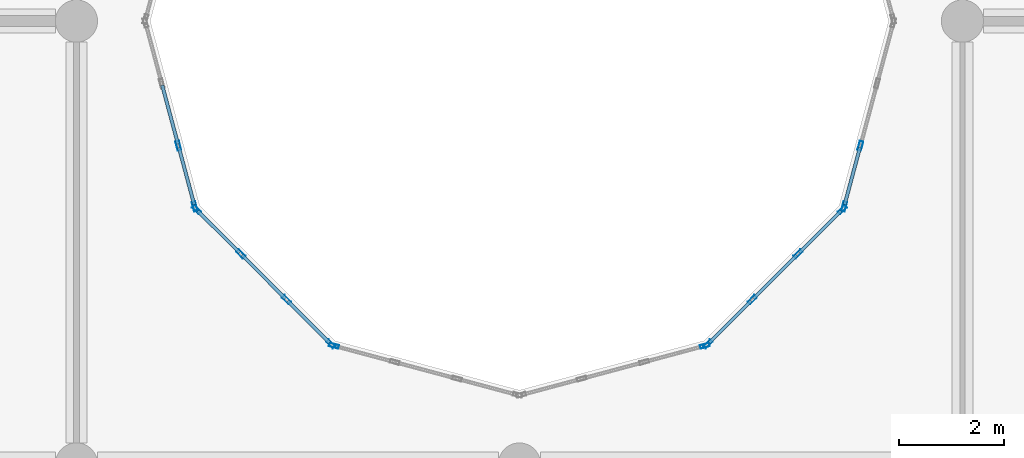
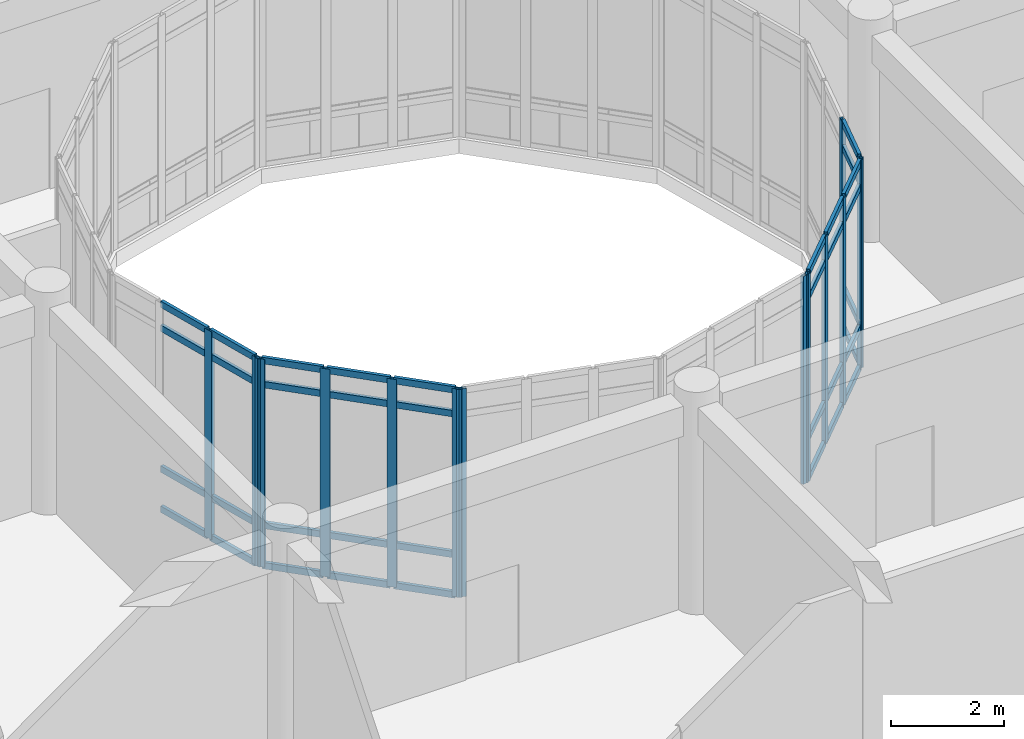
# One storey, part 36 of 138: 50 members, 6 elements without a shape of their own.
"""IFC4 building model written with IfcOpenShell, lengths in metres."""

from ifc_helpers import new_model, si_unit, direction, frame, origin, origin_2d, place, context, subcontext, project, spatial, hollow_rectangle, extrude, material, layer, layer_set, material_profile, profile_set, type_object, element, aggregate, save


model = new_model("IFC4")

# Units and contexts
model_context = context("Model", 3, precision=1e-05, world=origin(), true_north=direction((0.0, 1.0)))
body_context = subcontext(model_context, "Body", "Model", "MODEL_VIEW")
ifc_project = project(units=[si_unit("LENGTHUNIT", "METRE"), si_unit("AREAUNIT", "SQUARE_METRE"), si_unit("VOLUMEUNIT", "CUBIC_METRE"), si_unit("PLANEANGLEUNIT", "RADIAN"), si_unit("MASSUNIT", "GRAM", prefix="KILO")], contexts=[model_context])

# Site, building, storey
site_placement = place(None, origin())
site = spatial("IfcSite", under=ifc_project, at=site_placement, CompositionType="ELEMENT")
building_placement = place(site_placement, origin())
building = spatial("IfcBuilding", under=site, at=building_placement, Name="Bramfleet General Hospital", CompositionType="ELEMENT")
storey_placement = place(building_placement, origin())
storey = spatial("IfcBuildingStorey", under=building, at=storey_placement, Name="L00", CompositionType="ELEMENT", Elevation=0.0)

# Curtain wall, members
ifc_material_1 = material(Name="Anodised aluminium and low-E triple glazing", Category="aluminium")
ifc_layer_1 = layer(ifc_material_1, 0.179931640625, Name="CWT-CW-17")
ifc_layer_set_1 = layer_set([ifc_layer_1], Name="Anodised aluminium and low-E triple glazing")
curtain_wall_type_1 = type_object("IfcCurtainWallType", Name="CWT-CW-17", PredefinedType="USERDEFINED", material=ifc_layer_set_1)
curtain_wall_1_placement = place(storey_placement, origin())
curtain_wall_1 = element("IfcCurtainWall", 1, at=curtain_wall_1_placement, inside=storey, type_object=curtain_wall_type_1, Name="L00 Central Diagnostic Light Court Curtain Wall 1.1", ObjectType="Stick curtain wall", PredefinedType="USERDEFINED")
ifc_material_2 = material(Name="Anodised aluminium EN AW-6060", Category="aluminium")
ifc_material_profile_1 = material_profile(ifc_material_2, hollow_rectangle(XDim=0.070068359375, YDim=0.179931640625, WallThickness=0.00390625, at=origin_2d()), Name="ALU 180x70x4.0")
ifc_profile_set_1 = profile_set([ifc_material_profile_1], Name="Anodised aluminium EN AW-6060")
member_type_1 = type_object("IfcMemberType", Name="CWM-ALU180", PredefinedType="MULLION", material=ifc_profile_set_1)
member_1_placement = place(storey_placement, frame((77.533935546875, 73.2333984375, 0.0), z_axis=(0.0, 0.0, 1.0), x_axis=(0.965940765005, 0.258763286618, 0.0)))
member_1 = element("IfcMember", 2, at=member_1_placement, type_object=member_type_1, Name="CW-17 mullion 3", PredefinedType="MULLION", context=body_context, shape_type="SweptSolid", body=[
    extrude(hollow_rectangle(XDim=0.070068359375, YDim=0.179931640625, WallThickness=0.00390625, at=origin_2d()), origin(), (0.0, 0.0, 1.0), 4.489990234375),
])
member_2_placement = place(storey_placement, frame((77.842041015625, 72.083740234375, 0.0), z_axis=(0.0, 0.0, 1.0), x_axis=(0.965940765005, 0.258763286618, 0.0)))
member_2 = element("IfcMember", 3, at=member_2_placement, type_object=member_type_1, Name="CW-17 mullion 4", PredefinedType="MULLION", context=body_context, shape_type="SweptSolid", body=[
    extrude(hollow_rectangle(XDim=0.070068359375, YDim=0.179931640625, WallThickness=0.00390625, at=origin_2d()), origin(), (0.0, 0.0, 1.0), 4.489990234375),
])

ifc_layer_2 = layer(ifc_material_1, 0.179931640625, Name="CWT-CW-18")
ifc_layer_set_2 = layer_set([ifc_layer_2], Name="Anodised aluminium and low-E triple glazing")
curtain_wall_type_2 = type_object("IfcCurtainWallType", Name="CWT-CW-18", PredefinedType="USERDEFINED", material=ifc_layer_set_2)
curtain_wall_2_placement = place(storey_placement, origin())
curtain_wall_2 = element("IfcCurtainWall", 4, at=curtain_wall_2_placement, inside=storey, type_object=curtain_wall_type_2, Name="L00 Central Diagnostic Light Court Curtain Wall 2.1", ObjectType="Stick curtain wall", PredefinedType="USERDEFINED")
member_3_placement = place(storey_placement, frame((77.875732421875, 72.025146484375, 0.0), z_axis=(0.0, 0.0, 1.0), x_axis=(0.707106781187, 0.707106781187, 0.0)))
member_3 = element("IfcMember", 5, at=member_3_placement, type_object=member_type_1, Name="CW-18 mullion 1", PredefinedType="MULLION", context=body_context, shape_type="SweptSolid", body=[
    extrude(hollow_rectangle(XDim=0.070068359375, YDim=0.179931640625, WallThickness=0.00390625, at=origin_2d()), origin(), (0.0, 0.0, 1.0), 4.489990234375),
])
member_4_placement = place(storey_placement, frame((78.71728515625, 71.18359375, 0.0), z_axis=(0.0, 0.0, 1.0), x_axis=(0.707106781187, 0.707106781187, 0.0)))
member_4 = element("IfcMember", 6, at=member_4_placement, type_object=member_type_1, Name="CW-18 mullion 2", PredefinedType="MULLION", context=body_context, shape_type="SweptSolid", body=[
    extrude(hollow_rectangle(XDim=0.070068359375, YDim=0.179931640625, WallThickness=0.00390625, at=origin_2d()), origin(), (0.0, 0.0, 1.0), 4.489990234375),
])
member_5_placement = place(storey_placement, frame((79.583740234375, 70.3173828125, 0.0), z_axis=(0.0, 0.0, 1.0), x_axis=(0.707106781187, 0.707106781187, 0.0)))
member_5 = element("IfcMember", 7, at=member_5_placement, type_object=member_type_1, Name="CW-18 mullion 3", PredefinedType="MULLION", context=body_context, shape_type="SweptSolid", body=[
    extrude(hollow_rectangle(XDim=0.070068359375, YDim=0.179931640625, WallThickness=0.00390625, at=origin_2d()), origin(), (0.0, 0.0, 1.0), 4.489990234375),
])
member_6_placement = place(storey_placement, frame((80.42529296875, 69.475830078125, 0.0), z_axis=(0.0, 0.0, 1.0), x_axis=(0.707106781187, 0.707106781187, 0.0)))
member_6 = element("IfcMember", 8, at=member_6_placement, type_object=member_type_1, Name="CW-18 mullion 4", PredefinedType="MULLION", context=body_context, shape_type="SweptSolid", body=[
    extrude(hollow_rectangle(XDim=0.070068359375, YDim=0.179931640625, WallThickness=0.00390625, at=origin_2d()), origin(), (0.0, 0.0, 1.0), 4.489990234375),
])

# Curtain wall, member
ifc_layer_3 = layer(ifc_material_1, 0.179931640625, Name="CWT-CW-11")
ifc_layer_set_3 = layer_set([ifc_layer_3], Name="Anodised aluminium and low-E triple glazing")
curtain_wall_type_3 = type_object("IfcCurtainWallType", Name="CWT-CW-11", PredefinedType="USERDEFINED", material=ifc_layer_set_3)
curtain_wall_3_placement = place(storey_placement, origin())
curtain_wall_3 = element("IfcCurtainWall", 9, at=curtain_wall_3_placement, inside=storey, type_object=curtain_wall_type_3, Name="L00 Central Diagnostic Light Court Curtain Wall 3.1", ObjectType="Stick curtain wall", PredefinedType="USERDEFINED")
member_7_placement = place(storey_placement, frame((80.48388671875, 69.44189453125, 0.0), z_axis=(0.0, 0.0, 1.0), x_axis=(0.258763286618, 0.965940765005, 0.0)))
member_7 = element("IfcMember", 10, at=member_7_placement, type_object=member_type_1, Name="CW-11 mullion 1", PredefinedType="MULLION", context=body_context, shape_type="SweptSolid", body=[
    extrude(hollow_rectangle(XDim=0.070068359375, YDim=0.179931640625, WallThickness=0.00390625, at=origin_2d()), origin(), (0.0, 0.0, 1.0), 4.489990234375),
])
aggregate(curtain_wall_3, [member_7])

ifc_layer_4 = layer(ifc_material_1, 0.179931640625, Name="CWT-CW-12")
ifc_layer_set_4 = layer_set([ifc_layer_4], Name="Anodised aluminium and low-E triple glazing")
curtain_wall_type_4 = type_object("IfcCurtainWallType", Name="CWT-CW-12", PredefinedType="USERDEFINED", material=ifc_layer_set_4)
curtain_wall_4_placement = place(storey_placement, origin())
curtain_wall_4 = element("IfcCurtainWall", 11, at=curtain_wall_4_placement, inside=storey, type_object=curtain_wall_type_4, Name="L00 Central Diagnostic Light Court Curtain Wall 4.1", ObjectType="Stick curtain wall", PredefinedType="USERDEFINED")
member_8_placement = place(storey_placement, frame((87.51611328125, 69.44189453125, 0.0), z_axis=(0.0, 0.0, 1.0), x_axis=(-0.258763286618, 0.965940765005, 0.0)))
member_8 = element("IfcMember", 12, at=member_8_placement, type_object=member_type_1, Name="CW-12 mullion 4", PredefinedType="MULLION", context=body_context, shape_type="SweptSolid", body=[
    extrude(hollow_rectangle(XDim=0.070068359375, YDim=0.179931640625, WallThickness=0.00390625, at=origin_2d()), origin(), (0.0, 0.0, 1.0), 4.489990234375),
])
aggregate(curtain_wall_4, [member_8])

# Curtain wall, members
ifc_layer_5 = layer(ifc_material_1, 0.179931640625, Name="CWT-CW-13")
ifc_layer_set_5 = layer_set([ifc_layer_5], Name="Anodised aluminium and low-E triple glazing")
curtain_wall_type_5 = type_object("IfcCurtainWallType", Name="CWT-CW-13", PredefinedType="USERDEFINED", material=ifc_layer_set_5)
curtain_wall_5_placement = place(storey_placement, origin())
curtain_wall_5 = element("IfcCurtainWall", 13, at=curtain_wall_5_placement, inside=storey, type_object=curtain_wall_type_5, Name="L00 Central Diagnostic Light Court Curtain Wall 5.1", ObjectType="Stick curtain wall", PredefinedType="USERDEFINED")
member_9_placement = place(storey_placement, frame((87.57470703125, 69.475830078125, 0.0), z_axis=(0.0, 0.0, 1.0), x_axis=(-0.707106781187, 0.707106781187, 0.0)))
member_9 = element("IfcMember", 14, at=member_9_placement, type_object=member_type_1, Name="CW-13 mullion 1", PredefinedType="MULLION", context=body_context, shape_type="SweptSolid", body=[
    extrude(hollow_rectangle(XDim=0.070068359375, YDim=0.179931640625, WallThickness=0.00390625, at=origin_2d()), origin(), (0.0, 0.0, 1.0), 4.489990234375),
])
member_10_placement = place(storey_placement, frame((88.416259765625, 70.3173828125, 0.0), z_axis=(0.0, 0.0, 1.0), x_axis=(-0.707106781187, 0.707106781187, 0.0)))
member_10 = element("IfcMember", 15, at=member_10_placement, type_object=member_type_1, Name="CW-13 mullion 2", PredefinedType="MULLION", context=body_context, shape_type="SweptSolid", body=[
    extrude(hollow_rectangle(XDim=0.070068359375, YDim=0.179931640625, WallThickness=0.00390625, at=origin_2d()), origin(), (0.0, 0.0, 1.0), 4.489990234375),
])
member_11_placement = place(storey_placement, frame((89.28271484375, 71.18359375, 0.0), z_axis=(0.0, 0.0, 1.0), x_axis=(-0.707106781187, 0.707106781187, 0.0)))
member_11 = element("IfcMember", 16, at=member_11_placement, type_object=member_type_1, Name="CW-13 mullion 3", PredefinedType="MULLION", context=body_context, shape_type="SweptSolid", body=[
    extrude(hollow_rectangle(XDim=0.070068359375, YDim=0.179931640625, WallThickness=0.00390625, at=origin_2d()), origin(), (0.0, 0.0, 1.0), 4.489990234375),
])
member_12_placement = place(storey_placement, frame((90.124267578125, 72.025146484375, 0.0), z_axis=(0.0, 0.0, 1.0), x_axis=(-0.707106781187, 0.707106781187, 0.0)))
member_12 = element("IfcMember", 17, at=member_12_placement, type_object=member_type_1, Name="CW-13 mullion 4", PredefinedType="MULLION", context=body_context, shape_type="SweptSolid", body=[
    extrude(hollow_rectangle(XDim=0.070068359375, YDim=0.179931640625, WallThickness=0.00390625, at=origin_2d()), origin(), (0.0, 0.0, 1.0), 4.489990234375),
])

ifc_layer_6 = layer(ifc_material_1, 0.179931640625, Name="CWT-CW-14")
ifc_layer_set_6 = layer_set([ifc_layer_6], Name="Anodised aluminium and low-E triple glazing")
curtain_wall_type_6 = type_object("IfcCurtainWallType", Name="CWT-CW-14", PredefinedType="USERDEFINED", material=ifc_layer_set_6)
curtain_wall_6_placement = place(storey_placement, origin())
curtain_wall_6 = element("IfcCurtainWall", 18, at=curtain_wall_6_placement, inside=storey, type_object=curtain_wall_type_6, Name="L00 Central Diagnostic Light Court Curtain Wall 6.1", ObjectType="Stick curtain wall", PredefinedType="USERDEFINED")
member_13_placement = place(storey_placement, frame((90.157958984375, 72.083740234375, 0.0), z_axis=(0.0, 0.0, 1.0), x_axis=(-0.965940765005, 0.258763286618, 0.0)))
member_13 = element("IfcMember", 19, at=member_13_placement, type_object=member_type_1, Name="CW-14 mullion 1", PredefinedType="MULLION", context=body_context, shape_type="SweptSolid", body=[
    extrude(hollow_rectangle(XDim=0.070068359375, YDim=0.179931640625, WallThickness=0.00390625, at=origin_2d()), origin(), (0.0, 0.0, 1.0), 4.489990234375),
])
member_14_placement = place(storey_placement, frame((90.466064453125, 73.2333984375, 0.0), z_axis=(0.0, 0.0, 1.0), x_axis=(-0.965940765005, 0.258763286618, 0.0)))
member_14 = element("IfcMember", 20, at=member_14_placement, type_object=member_type_1, Name="CW-14 mullion 2", PredefinedType="MULLION", context=body_context, shape_type="SweptSolid", body=[
    extrude(hollow_rectangle(XDim=0.070068359375, YDim=0.179931640625, WallThickness=0.00390625, at=origin_2d()), origin(), (0.0, 0.0, 1.0), 4.489990234375),
])

# Member
ifc_material_profile_2 = material_profile(ifc_material_2, hollow_rectangle(XDim=0.06494140625, YDim=0.139892578125, WallThickness=0.00390625, at=origin_2d()), Name="ALU 140x65x4.0")
ifc_profile_set_2 = profile_set([ifc_material_profile_2], Name="Anodised aluminium EN AW-6060")
member_type_2 = type_object("IfcMemberType", Name="CWT-ALU140", PredefinedType="USERDEFINED", material=ifc_profile_set_2)
member_15_placement = place(storey_placement, frame((77.22607421875, 74.3828125, 0.032470703125), z_axis=(0.258714954608, -0.965953711242, 0.0), x_axis=(0.965953711242, 0.258714954608, 0.0)))
member_15 = element("IfcMember", 21, at=member_15_placement, type_object=member_type_2, Name="CW-17 transom 2.1", ObjectType="TRANSOM", PredefinedType="USERDEFINED", context=body_context, shape_type="SweptSolid", body=[
    extrude(hollow_rectangle(XDim=0.06494140625, YDim=0.139892578125, WallThickness=0.00390625, at=origin_2d()), origin(), (0.0, 0.0, 1.0), 1.155029296875),
])

member_16_placement = place(storey_placement, frame((77.22607421875, 74.3828125, 0.89990234375), z_axis=(0.258714954608, -0.965953711242, 0.0), x_axis=(0.965953711242, 0.258714954608, 0.0)))
member_16 = element("IfcMember", 22, at=member_16_placement, type_object=member_type_2, Name="CW-17 transom 2.2", ObjectType="TRANSOM", PredefinedType="USERDEFINED", context=body_context, shape_type="SweptSolid", body=[
    extrude(hollow_rectangle(XDim=0.06494140625, YDim=0.139892578125, WallThickness=0.00390625, at=origin_2d()), origin(), (0.0, 0.0, 1.0), 1.155029296875),
])

member_17_placement = place(storey_placement, frame((77.22607421875, 74.3828125, 3.93994140625), z_axis=(0.258714954608, -0.965953711242, 0.0), x_axis=(0.965953711242, 0.258714954608, 0.0)))
member_17 = element("IfcMember", 23, at=member_17_placement, type_object=member_type_2, Name="CW-17 transom 2.3", ObjectType="TRANSOM", PredefinedType="USERDEFINED", context=body_context, shape_type="SweptSolid", body=[
    extrude(hollow_rectangle(XDim=0.06494140625, YDim=0.139892578125, WallThickness=0.00390625, at=origin_2d()), origin(), (0.0, 0.0, 1.0), 1.155029296875),
])

member_18_placement = place(storey_placement, frame((77.22607421875, 74.3828125, 4.45751953125), z_axis=(0.258714954608, -0.965953711242, 0.0), x_axis=(0.965953711242, 0.258714954608, 0.0)))
member_18 = element("IfcMember", 24, at=member_18_placement, type_object=member_type_2, Name="CW-17 transom 2.4", ObjectType="TRANSOM", PredefinedType="USERDEFINED", context=body_context, shape_type="SweptSolid", body=[
    extrude(hollow_rectangle(XDim=0.06494140625, YDim=0.139892578125, WallThickness=0.00390625, at=origin_2d()), origin(), (0.0, 0.0, 1.0), 1.155029296875),
])

member_19_placement = place(storey_placement, frame((77.54296875, 73.199462890625, 0.032470703125), z_axis=(0.258964892978, -0.965886734667, 0.0), x_axis=(0.965886734667, 0.258964892978, 0.0)))
member_19 = element("IfcMember", 25, at=member_19_placement, type_object=member_type_2, Name="CW-17 transom 3.1", ObjectType="TRANSOM", PredefinedType="USERDEFINED", context=body_context, shape_type="SweptSolid", body=[
    extrude(hollow_rectangle(XDim=0.06494140625, YDim=0.139892578125, WallThickness=0.00390625, at=origin_2d()), origin(), (0.0, 0.0, 1.0), 1.119873046875),
])

member_20_placement = place(storey_placement, frame((77.54296875, 73.199462890625, 0.89990234375), z_axis=(0.258964892978, -0.965886734667, 0.0), x_axis=(0.965886734667, 0.258964892978, 0.0)))
member_20 = element("IfcMember", 26, at=member_20_placement, type_object=member_type_2, Name="CW-17 transom 3.2", ObjectType="TRANSOM", PredefinedType="USERDEFINED", context=body_context, shape_type="SweptSolid", body=[
    extrude(hollow_rectangle(XDim=0.06494140625, YDim=0.139892578125, WallThickness=0.00390625, at=origin_2d()), origin(), (0.0, 0.0, 1.0), 1.119873046875),
])

member_21_placement = place(storey_placement, frame((77.54296875, 73.199462890625, 3.93994140625), z_axis=(0.258964892978, -0.965886734667, 0.0), x_axis=(0.965886734667, 0.258964892978, 0.0)))
member_21 = element("IfcMember", 27, at=member_21_placement, type_object=member_type_2, Name="CW-17 transom 3.3", ObjectType="TRANSOM", PredefinedType="USERDEFINED", context=body_context, shape_type="SweptSolid", body=[
    extrude(hollow_rectangle(XDim=0.06494140625, YDim=0.139892578125, WallThickness=0.00390625, at=origin_2d()), origin(), (0.0, 0.0, 1.0), 1.119873046875),
])

member_22_placement = place(storey_placement, frame((77.54296875, 73.199462890625, 4.45751953125), z_axis=(0.258964892978, -0.965886734667, 0.0), x_axis=(0.965886734667, 0.258964892978, 0.0)))
member_22 = element("IfcMember", 28, at=member_22_placement, type_object=member_type_2, Name="CW-17 transom 3.4", ObjectType="TRANSOM", PredefinedType="USERDEFINED", context=body_context, shape_type="SweptSolid", body=[
    extrude(hollow_rectangle(XDim=0.06494140625, YDim=0.139892578125, WallThickness=0.00390625, at=origin_2d()), origin(), (0.0, 0.0, 1.0), 1.119873046875),
])

aggregate(curtain_wall_1, [member_1, member_2, member_15, member_16, member_17, member_18, member_19, member_20, member_21, member_22])

member_23_placement = place(storey_placement, frame((77.900390625, 72.00048828125, 0.032470703125), z_axis=(0.707215742858, -0.706997802722, 0.0), x_axis=(0.706997802722, 0.707215742858, 0.0)))
member_23 = element("IfcMember", 29, at=member_23_placement, type_object=member_type_2, Name="CW-18 transom 1.1", ObjectType="TRANSOM", PredefinedType="USERDEFINED", context=body_context, shape_type="SweptSolid", body=[
    extrude(hollow_rectangle(XDim=0.06494140625, YDim=0.139892578125, WallThickness=0.00390625, at=origin_2d()), origin(), (0.0, 0.0, 1.0), 1.1201171875),
])

member_24_placement = place(storey_placement, frame((77.900390625, 72.00048828125, 0.89990234375), z_axis=(0.707215742858, -0.706997802722, 0.0), x_axis=(0.706997802722, 0.707215742858, 0.0)))
member_24 = element("IfcMember", 30, at=member_24_placement, type_object=member_type_2, Name="CW-18 transom 1.2", ObjectType="TRANSOM", PredefinedType="USERDEFINED", context=body_context, shape_type="SweptSolid", body=[
    extrude(hollow_rectangle(XDim=0.06494140625, YDim=0.139892578125, WallThickness=0.00390625, at=origin_2d()), origin(), (0.0, 0.0, 1.0), 1.1201171875),
])

member_25_placement = place(storey_placement, frame((77.900390625, 72.00048828125, 3.93994140625), z_axis=(0.707215742858, -0.706997802722, 0.0), x_axis=(0.706997802722, 0.707215742858, 0.0)))
member_25 = element("IfcMember", 31, at=member_25_placement, type_object=member_type_2, Name="CW-18 transom 1.3", ObjectType="TRANSOM", PredefinedType="USERDEFINED", context=body_context, shape_type="SweptSolid", body=[
    extrude(hollow_rectangle(XDim=0.06494140625, YDim=0.139892578125, WallThickness=0.00390625, at=origin_2d()), origin(), (0.0, 0.0, 1.0), 1.1201171875),
])

member_26_placement = place(storey_placement, frame((77.900390625, 72.00048828125, 4.45751953125), z_axis=(0.707215742858, -0.706997802722, 0.0), x_axis=(0.706997802722, 0.707215742858, 0.0)))
member_26 = element("IfcMember", 32, at=member_26_placement, type_object=member_type_2, Name="CW-18 transom 1.4", ObjectType="TRANSOM", PredefinedType="USERDEFINED", context=body_context, shape_type="SweptSolid", body=[
    extrude(hollow_rectangle(XDim=0.06494140625, YDim=0.139892578125, WallThickness=0.00390625, at=origin_2d()), origin(), (0.0, 0.0, 1.0), 1.1201171875),
])

member_27_placement = place(storey_placement, frame((78.7421875, 71.158935546875, 0.032470703125), z_axis=(0.707001093006, -0.707212453572, 0.0), x_axis=(0.707212453572, 0.707001093006, 0.0)))
member_27 = element("IfcMember", 33, at=member_27_placement, type_object=member_type_2, Name="CW-18 transom 2.1", ObjectType="TRANSOM", PredefinedType="USERDEFINED", context=body_context, shape_type="SweptSolid", body=[
    extrude(hollow_rectangle(XDim=0.06494140625, YDim=0.139892578125, WallThickness=0.00390625, at=origin_2d()), origin(), (0.0, 0.0, 1.0), 1.155029296875),
])

member_28_placement = place(storey_placement, frame((78.7421875, 71.158935546875, 0.89990234375), z_axis=(0.707001093006, -0.707212453572, 0.0), x_axis=(0.707212453572, 0.707001093006, 0.0)))
member_28 = element("IfcMember", 34, at=member_28_placement, type_object=member_type_2, Name="CW-18 transom 2.2", ObjectType="TRANSOM", PredefinedType="USERDEFINED", context=body_context, shape_type="SweptSolid", body=[
    extrude(hollow_rectangle(XDim=0.06494140625, YDim=0.139892578125, WallThickness=0.00390625, at=origin_2d()), origin(), (0.0, 0.0, 1.0), 1.155029296875),
])

member_29_placement = place(storey_placement, frame((78.7421875, 71.158935546875, 3.93994140625), z_axis=(0.707001093006, -0.707212453572, 0.0), x_axis=(0.707212453572, 0.707001093006, 0.0)))
member_29 = element("IfcMember", 35, at=member_29_placement, type_object=member_type_2, Name="CW-18 transom 2.3", ObjectType="TRANSOM", PredefinedType="USERDEFINED", context=body_context, shape_type="SweptSolid", body=[
    extrude(hollow_rectangle(XDim=0.06494140625, YDim=0.139892578125, WallThickness=0.00390625, at=origin_2d()), origin(), (0.0, 0.0, 1.0), 1.155029296875),
])

member_30_placement = place(storey_placement, frame((78.7421875, 71.158935546875, 4.45751953125), z_axis=(0.707001093006, -0.707212453572, 0.0), x_axis=(0.707212453572, 0.707001093006, 0.0)))
member_30 = element("IfcMember", 36, at=member_30_placement, type_object=member_type_2, Name="CW-18 transom 2.4", ObjectType="TRANSOM", PredefinedType="USERDEFINED", context=body_context, shape_type="SweptSolid", body=[
    extrude(hollow_rectangle(XDim=0.06494140625, YDim=0.139892578125, WallThickness=0.00390625, at=origin_2d()), origin(), (0.0, 0.0, 1.0), 1.155029296875),
])

member_31_placement = place(storey_placement, frame((79.6083984375, 70.29248046875, 0.032470703125), z_axis=(0.707106781187, -0.707106781187, 0.0), x_axis=(0.707106781187, 0.707106781187, 0.0)))
member_31 = element("IfcMember", 37, at=member_31_placement, type_object=member_type_2, Name="CW-18 transom 3.1", ObjectType="TRANSOM", PredefinedType="USERDEFINED", context=body_context, shape_type="SweptSolid", body=[
    extrude(hollow_rectangle(XDim=0.06494140625, YDim=0.139892578125, WallThickness=0.00390625, at=origin_2d()), origin(), (0.0, 0.0, 1.0), 1.1201171875),
])

member_32_placement = place(storey_placement, frame((79.6083984375, 70.29248046875, 0.89990234375), z_axis=(0.707106781187, -0.707106781187, 0.0), x_axis=(0.707106781187, 0.707106781187, 0.0)))
member_32 = element("IfcMember", 38, at=member_32_placement, type_object=member_type_2, Name="CW-18 transom 3.2", ObjectType="TRANSOM", PredefinedType="USERDEFINED", context=body_context, shape_type="SweptSolid", body=[
    extrude(hollow_rectangle(XDim=0.06494140625, YDim=0.139892578125, WallThickness=0.00390625, at=origin_2d()), origin(), (0.0, 0.0, 1.0), 1.1201171875),
])

member_33_placement = place(storey_placement, frame((79.6083984375, 70.29248046875, 3.93994140625), z_axis=(0.707106781187, -0.707106781187, 0.0), x_axis=(0.707106781187, 0.707106781187, 0.0)))
member_33 = element("IfcMember", 39, at=member_33_placement, type_object=member_type_2, Name="CW-18 transom 3.3", ObjectType="TRANSOM", PredefinedType="USERDEFINED", context=body_context, shape_type="SweptSolid", body=[
    extrude(hollow_rectangle(XDim=0.06494140625, YDim=0.139892578125, WallThickness=0.00390625, at=origin_2d()), origin(), (0.0, 0.0, 1.0), 1.1201171875),
])

member_34_placement = place(storey_placement, frame((79.6083984375, 70.29248046875, 4.45751953125), z_axis=(0.707106781187, -0.707106781187, 0.0), x_axis=(0.707106781187, 0.707106781187, 0.0)))
member_34 = element("IfcMember", 40, at=member_34_placement, type_object=member_type_2, Name="CW-18 transom 3.4", ObjectType="TRANSOM", PredefinedType="USERDEFINED", context=body_context, shape_type="SweptSolid", body=[
    extrude(hollow_rectangle(XDim=0.06494140625, YDim=0.139892578125, WallThickness=0.00390625, at=origin_2d()), origin(), (0.0, 0.0, 1.0), 1.1201171875),
])

aggregate(curtain_wall_2, [member_3, member_4, member_5, member_6, member_23, member_24, member_25, member_26, member_27, member_28, member_29, member_30, member_31, member_32, member_33, member_34])

member_35_placement = place(storey_placement, frame((87.599609375, 69.50048828125, 0.032470703125), z_axis=(0.707106781187, 0.707106781187, 0.0), x_axis=(-0.707106781187, 0.707106781187, 0.0)))
member_35 = element("IfcMember", 41, at=member_35_placement, type_object=member_type_2, Name="CW-13 transom 1.1", ObjectType="TRANSOM", PredefinedType="USERDEFINED", context=body_context, shape_type="SweptSolid", body=[
    extrude(hollow_rectangle(XDim=0.06494140625, YDim=0.139892578125, WallThickness=0.00390625, at=origin_2d()), origin(), (0.0, 0.0, 1.0), 1.1201171875),
])

member_36_placement = place(storey_placement, frame((87.599609375, 69.50048828125, 0.89990234375), z_axis=(0.707106781187, 0.707106781187, 0.0), x_axis=(-0.707106781187, 0.707106781187, 0.0)))
member_36 = element("IfcMember", 42, at=member_36_placement, type_object=member_type_2, Name="CW-13 transom 1.2", ObjectType="TRANSOM", PredefinedType="USERDEFINED", context=body_context, shape_type="SweptSolid", body=[
    extrude(hollow_rectangle(XDim=0.06494140625, YDim=0.139892578125, WallThickness=0.00390625, at=origin_2d()), origin(), (0.0, 0.0, 1.0), 1.1201171875),
])

member_37_placement = place(storey_placement, frame((87.599609375, 69.50048828125, 3.93994140625), z_axis=(0.707106781187, 0.707106781187, 0.0), x_axis=(-0.707106781187, 0.707106781187, 0.0)))
member_37 = element("IfcMember", 43, at=member_37_placement, type_object=member_type_2, Name="CW-13 transom 1.3", ObjectType="TRANSOM", PredefinedType="USERDEFINED", context=body_context, shape_type="SweptSolid", body=[
    extrude(hollow_rectangle(XDim=0.06494140625, YDim=0.139892578125, WallThickness=0.00390625, at=origin_2d()), origin(), (0.0, 0.0, 1.0), 1.1201171875),
])

member_38_placement = place(storey_placement, frame((87.599609375, 69.50048828125, 4.45751953125), z_axis=(0.707106781187, 0.707106781187, 0.0), x_axis=(-0.707106781187, 0.707106781187, 0.0)))
member_38 = element("IfcMember", 44, at=member_38_placement, type_object=member_type_2, Name="CW-13 transom 1.4", ObjectType="TRANSOM", PredefinedType="USERDEFINED", context=body_context, shape_type="SweptSolid", body=[
    extrude(hollow_rectangle(XDim=0.06494140625, YDim=0.139892578125, WallThickness=0.00390625, at=origin_2d()), origin(), (0.0, 0.0, 1.0), 1.1201171875),
])

member_39_placement = place(storey_placement, frame((88.441162109375, 70.342041015625, 0.032470703125), z_axis=(0.707001093006, 0.707212453572, 0.0), x_axis=(-0.707212453572, 0.707001093006, 0.0)))
member_39 = element("IfcMember", 45, at=member_39_placement, type_object=member_type_2, Name="CW-13 transom 2.1", ObjectType="TRANSOM", PredefinedType="USERDEFINED", context=body_context, shape_type="SweptSolid", body=[
    extrude(hollow_rectangle(XDim=0.06494140625, YDim=0.139892578125, WallThickness=0.00390625, at=origin_2d()), origin(), (0.0, 0.0, 1.0), 1.155029296875),
])

member_40_placement = place(storey_placement, frame((88.441162109375, 70.342041015625, 0.89990234375), z_axis=(0.707001093006, 0.707212453572, 0.0), x_axis=(-0.707212453572, 0.707001093006, 0.0)))
member_40 = element("IfcMember", 46, at=member_40_placement, type_object=member_type_2, Name="CW-13 transom 2.2", ObjectType="TRANSOM", PredefinedType="USERDEFINED", context=body_context, shape_type="SweptSolid", body=[
    extrude(hollow_rectangle(XDim=0.06494140625, YDim=0.139892578125, WallThickness=0.00390625, at=origin_2d()), origin(), (0.0, 0.0, 1.0), 1.155029296875),
])

member_41_placement = place(storey_placement, frame((88.441162109375, 70.342041015625, 3.93994140625), z_axis=(0.707001093006, 0.707212453572, 0.0), x_axis=(-0.707212453572, 0.707001093006, 0.0)))
member_41 = element("IfcMember", 47, at=member_41_placement, type_object=member_type_2, Name="CW-13 transom 2.3", ObjectType="TRANSOM", PredefinedType="USERDEFINED", context=body_context, shape_type="SweptSolid", body=[
    extrude(hollow_rectangle(XDim=0.06494140625, YDim=0.139892578125, WallThickness=0.00390625, at=origin_2d()), origin(), (0.0, 0.0, 1.0), 1.155029296875),
])

member_42_placement = place(storey_placement, frame((88.441162109375, 70.342041015625, 4.45751953125), z_axis=(0.707001093006, 0.707212453572, 0.0), x_axis=(-0.707212453572, 0.707001093006, 0.0)))
member_42 = element("IfcMember", 48, at=member_42_placement, type_object=member_type_2, Name="CW-13 transom 2.4", ObjectType="TRANSOM", PredefinedType="USERDEFINED", context=body_context, shape_type="SweptSolid", body=[
    extrude(hollow_rectangle(XDim=0.06494140625, YDim=0.139892578125, WallThickness=0.00390625, at=origin_2d()), origin(), (0.0, 0.0, 1.0), 1.155029296875),
])

member_43_placement = place(storey_placement, frame((89.307373046875, 71.20849609375, 0.032470703125), z_axis=(0.707215742858, 0.706997802722, 0.0), x_axis=(-0.706997802722, 0.707215742858, 0.0)))
member_43 = element("IfcMember", 49, at=member_43_placement, type_object=member_type_2, Name="CW-13 transom 3.1", ObjectType="TRANSOM", PredefinedType="USERDEFINED", context=body_context, shape_type="SweptSolid", body=[
    extrude(hollow_rectangle(XDim=0.06494140625, YDim=0.139892578125, WallThickness=0.00390625, at=origin_2d()), origin(), (0.0, 0.0, 1.0), 1.1201171875),
])

member_44_placement = place(storey_placement, frame((89.307373046875, 71.20849609375, 0.89990234375), z_axis=(0.707215742858, 0.706997802722, 0.0), x_axis=(-0.706997802722, 0.707215742858, 0.0)))
member_44 = element("IfcMember", 50, at=member_44_placement, type_object=member_type_2, Name="CW-13 transom 3.2", ObjectType="TRANSOM", PredefinedType="USERDEFINED", context=body_context, shape_type="SweptSolid", body=[
    extrude(hollow_rectangle(XDim=0.06494140625, YDim=0.139892578125, WallThickness=0.00390625, at=origin_2d()), origin(), (0.0, 0.0, 1.0), 1.1201171875),
])

member_45_placement = place(storey_placement, frame((89.307373046875, 71.20849609375, 3.93994140625), z_axis=(0.707215742858, 0.706997802722, 0.0), x_axis=(-0.706997802722, 0.707215742858, 0.0)))
member_45 = element("IfcMember", 51, at=member_45_placement, type_object=member_type_2, Name="CW-13 transom 3.3", ObjectType="TRANSOM", PredefinedType="USERDEFINED", context=body_context, shape_type="SweptSolid", body=[
    extrude(hollow_rectangle(XDim=0.06494140625, YDim=0.139892578125, WallThickness=0.00390625, at=origin_2d()), origin(), (0.0, 0.0, 1.0), 1.1201171875),
])

member_46_placement = place(storey_placement, frame((89.307373046875, 71.20849609375, 4.45751953125), z_axis=(0.707215742858, 0.706997802722, 0.0), x_axis=(-0.706997802722, 0.707215742858, 0.0)))
member_46 = element("IfcMember", 52, at=member_46_placement, type_object=member_type_2, Name="CW-13 transom 3.4", ObjectType="TRANSOM", PredefinedType="USERDEFINED", context=body_context, shape_type="SweptSolid", body=[
    extrude(hollow_rectangle(XDim=0.06494140625, YDim=0.139892578125, WallThickness=0.00390625, at=origin_2d()), origin(), (0.0, 0.0, 1.0), 1.1201171875),
])

aggregate(curtain_wall_5, [member_9, member_10, member_11, member_12, member_35, member_36, member_37, member_38, member_39, member_40, member_41, member_42, member_43, member_44, member_45, member_46])

member_47_placement = place(storey_placement, frame((90.1669921875, 72.11767578125, 0.032470703125), z_axis=(0.258964892978, 0.965886734667, 0.0), x_axis=(-0.965886734667, 0.258964892978, 0.0)))
member_47 = element("IfcMember", 53, at=member_47_placement, type_object=member_type_2, Name="CW-14 transom 1.1", ObjectType="TRANSOM", PredefinedType="USERDEFINED", context=body_context, shape_type="SweptSolid", body=[
    extrude(hollow_rectangle(XDim=0.06494140625, YDim=0.139892578125, WallThickness=0.00390625, at=origin_2d()), origin(), (0.0, 0.0, 1.0), 1.119873046875),
])

member_48_placement = place(storey_placement, frame((90.1669921875, 72.11767578125, 0.89990234375), z_axis=(0.258964892978, 0.965886734667, 0.0), x_axis=(-0.965886734667, 0.258964892978, 0.0)))
member_48 = element("IfcMember", 54, at=member_48_placement, type_object=member_type_2, Name="CW-14 transom 1.2", ObjectType="TRANSOM", PredefinedType="USERDEFINED", context=body_context, shape_type="SweptSolid", body=[
    extrude(hollow_rectangle(XDim=0.06494140625, YDim=0.139892578125, WallThickness=0.00390625, at=origin_2d()), origin(), (0.0, 0.0, 1.0), 1.119873046875),
])

member_49_placement = place(storey_placement, frame((90.1669921875, 72.11767578125, 3.93994140625), z_axis=(0.258964892978, 0.965886734667, 0.0), x_axis=(-0.965886734667, 0.258964892978, 0.0)))
member_49 = element("IfcMember", 55, at=member_49_placement, type_object=member_type_2, Name="CW-14 transom 1.3", ObjectType="TRANSOM", PredefinedType="USERDEFINED", context=body_context, shape_type="SweptSolid", body=[
    extrude(hollow_rectangle(XDim=0.06494140625, YDim=0.139892578125, WallThickness=0.00390625, at=origin_2d()), origin(), (0.0, 0.0, 1.0), 1.119873046875),
])

member_50_placement = place(storey_placement, frame((90.1669921875, 72.11767578125, 4.45751953125), z_axis=(0.258964892978, 0.965886734667, 0.0), x_axis=(-0.965886734667, 0.258964892978, 0.0)))
member_50 = element("IfcMember", 56, at=member_50_placement, type_object=member_type_2, Name="CW-14 transom 1.4", ObjectType="TRANSOM", PredefinedType="USERDEFINED", context=body_context, shape_type="SweptSolid", body=[
    extrude(hollow_rectangle(XDim=0.06494140625, YDim=0.139892578125, WallThickness=0.00390625, at=origin_2d()), origin(), (0.0, 0.0, 1.0), 1.119873046875),
])

aggregate(curtain_wall_6, [member_13, member_14, member_47, member_48, member_49, member_50])

save(model, "model.ifc")
